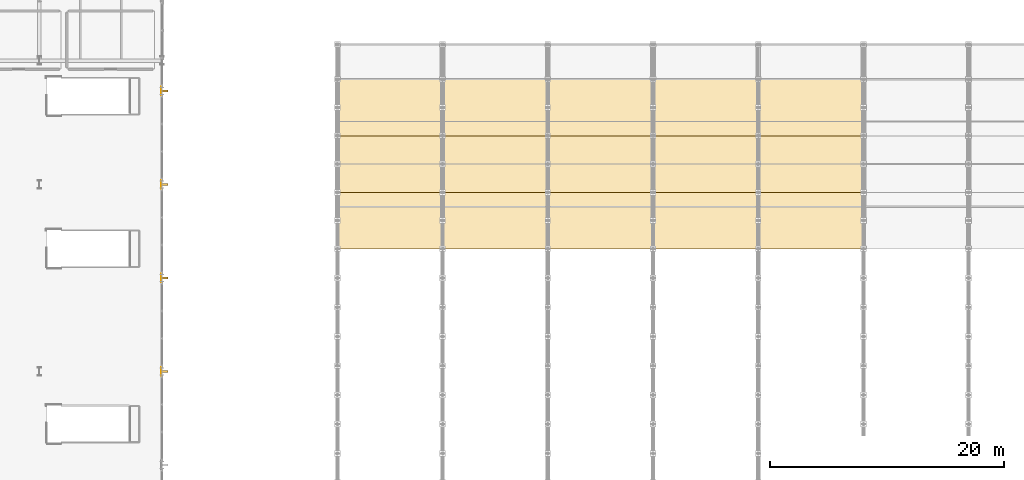
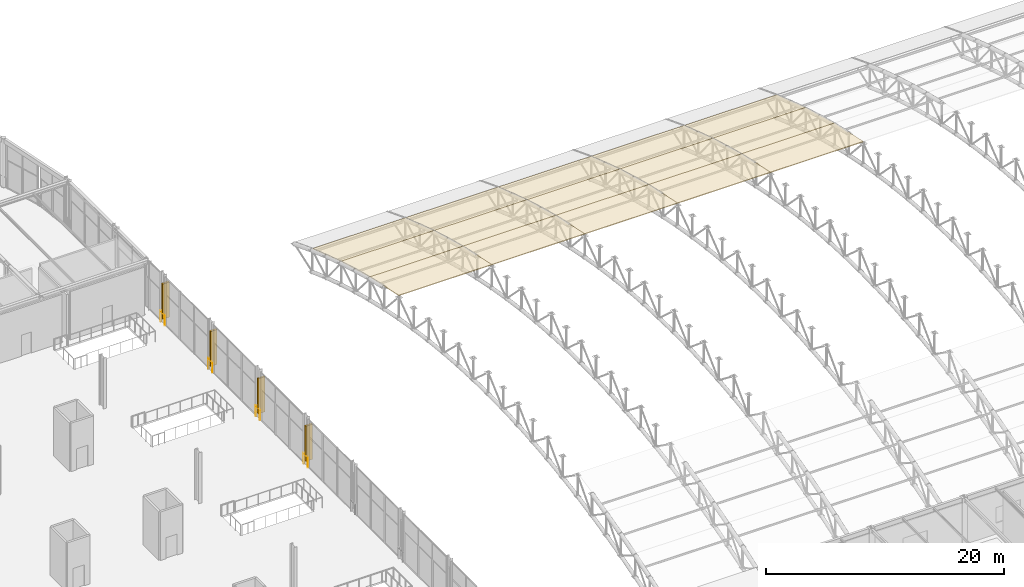
# One storey, part 192 of 195: 15 coverings, 4 railings, 4 shading devices.
"""IFC4 building model written with IfcOpenShell, lengths in metres."""

from ifc_helpers import new_model, si_unit, direction, frame, origin, origin_2d, place, context, subcontext, project, spatial, polyline, rectangle, circle, outline, extrude, material, layer, layer_set, type_object, element, save


model = new_model("IFC4")

# Units and contexts
model_context = context("Model", 3, precision=1e-05, world=origin(), true_north=direction((0.0, 1.0)))
body_context = subcontext(model_context, "Body", "Model", "MODEL_VIEW")
ifc_project = project(units=[si_unit("LENGTHUNIT", "METRE"), si_unit("AREAUNIT", "SQUARE_METRE"), si_unit("VOLUMEUNIT", "CUBIC_METRE"), si_unit("PLANEANGLEUNIT", "RADIAN"), si_unit("MASSUNIT", "GRAM", prefix="KILO")], contexts=[model_context])

# Site, building, storey
site_placement = place(None, origin())
site = spatial("IfcSite", under=ifc_project, at=site_placement, CompositionType="ELEMENT")
building_placement = place(site_placement, origin())
building = spatial("IfcBuilding", under=site, at=building_placement, Name="Marlcrest Central Station", CompositionType="ELEMENT")
storey_placement = place(building_placement, frame((0.0, 0.0, 9.800048828125)))
storey = spatial("IfcBuildingStorey", under=building, at=storey_placement, Name="L02", CompositionType="ELEMENT", Elevation=9.800048828125)

# Coverings
ifc_material_1 = material(Name="Standing-seam marine-coated aluminium roofing", Category="aluminium")
ifc_layer = layer(ifc_material_1, 0.06494140625, Name="CV-RF2")
ifc_layer_set = layer_set([ifc_layer], Name="Standing-seam marine-coated aluminium roofing")
covering_type = type_object("IfcCoveringType", Name="CV-RF2", PredefinedType="ROOFING", material=ifc_layer_set)
covering_1_placement = place(storey_placement, frame((144.0, 81.0, 5.8037109375), z_axis=(0.0, 0.211209052667, 0.977440911806), x_axis=(1.0, 0.0, 0.0)))
element("IfcCovering", 1, at=covering_1_placement, inside=storey, type_object=covering_type, Name="cov-shed-0127", PredefinedType="ROOFING", context=body_context, shape_type="SweptSolid", body=[
    extrude(outline(polyline([(0.0, 0.0), (9.0, 0.0), (9.0, 4.941555102371799), (0.0, 4.941555102371799), (0.0, 0.0)])), origin(), (0.0, 0.0, -1.0), 0.06494140625),
])
covering_2_placement = place(storey_placement, frame((144.0, 85.830078125, 4.760009765625), z_axis=(0.0, 0.266214119485, 0.96391391866), x_axis=(1.0, 0.0, 0.0)))
element("IfcCovering", 2, at=covering_2_placement, inside=storey, type_object=covering_type, Name="cov-shed-0128", PredefinedType="ROOFING", context=body_context, shape_type="SweptSolid", body=[
    extrude(outline(polyline([(0.0, 0.0), (9.0, 0.0), (9.0, 5.021033161059522), (0.0, 5.021033161059522), (0.0, 0.0)])), origin(), (0.0, 0.0, -1.0), 0.06494140625),
])
covering_3_placement = place(storey_placement, frame((144.0, 90.669921875, 3.42333984375), z_axis=(0.0, 0.318569719273, 0.94789943241), x_axis=(1.0, 0.0, 0.0)))
element("IfcCovering", 3, at=covering_3_placement, inside=storey, type_object=covering_type, Name="cov-shed-0129", PredefinedType="ROOFING", context=body_context, shape_type="SweptSolid", body=[
    extrude(outline(polyline([(0.0, 0.0), (9.0, 0.0), (9.0, 5.095559676327259), (0.0, 5.095559676327259), (0.0, 0.0)])), origin(), (0.0, 0.0, -1.0), 0.06494140625),
])
covering_4_placement = place(storey_placement, frame((153.0, 81.0, 5.8037109375), z_axis=(0.0, 0.211209052667, 0.977440911806), x_axis=(1.0, 0.0, 0.0)))
element("IfcCovering", 4, at=covering_4_placement, inside=storey, type_object=covering_type, Name="cov-shed-0141", PredefinedType="ROOFING", context=body_context, shape_type="SweptSolid", body=[
    extrude(outline(polyline([(0.0, 0.0), (9.0, 0.0), (9.0, 4.941555102371799), (0.0, 4.941555102371799), (0.0, 0.0)])), origin(), (0.0, 0.0, -1.0), 0.06494140625),
])
covering_5_placement = place(storey_placement, frame((153.0, 85.830078125, 4.760009765625), z_axis=(0.0, 0.266214119485, 0.96391391866), x_axis=(1.0, 0.0, 0.0)))
element("IfcCovering", 5, at=covering_5_placement, inside=storey, type_object=covering_type, Name="cov-shed-0142", PredefinedType="ROOFING", context=body_context, shape_type="SweptSolid", body=[
    extrude(outline(polyline([(0.0, 0.0), (9.0, 0.0), (9.0, 5.021033161059522), (0.0, 5.021033161059522), (0.0, 0.0)])), origin(), (0.0, 0.0, -1.0), 0.06494140625),
])
covering_6_placement = place(storey_placement, frame((153.0, 90.669921875, 3.42333984375), z_axis=(0.0, 0.318569719273, 0.94789943241), x_axis=(1.0, 0.0, 0.0)))
element("IfcCovering", 6, at=covering_6_placement, inside=storey, type_object=covering_type, Name="cov-shed-0143", PredefinedType="ROOFING", context=body_context, shape_type="SweptSolid", body=[
    extrude(outline(polyline([(0.0, 0.0), (9.0, 0.0), (9.0, 5.095559676327259), (0.0, 5.095559676327259), (0.0, 0.0)])), origin(), (0.0, 0.0, -1.0), 0.06494140625),
])
covering_7_placement = place(storey_placement, frame((162.0, 81.0, 5.8037109375), z_axis=(0.0, 0.211209052667, 0.977440911806), x_axis=(1.0, 0.0, 0.0)))
element("IfcCovering", 7, at=covering_7_placement, inside=storey, type_object=covering_type, Name="cov-shed-0155", PredefinedType="ROOFING", context=body_context, shape_type="SweptSolid", body=[
    extrude(outline(polyline([(0.0, 0.0), (9.0, 0.0), (9.0, 4.941555102371799), (0.0, 4.941555102371799), (0.0, 0.0)])), origin(), (0.0, 0.0, -1.0), 0.06494140625),
])
covering_8_placement = place(storey_placement, frame((162.0, 85.830078125, 4.760009765625), z_axis=(0.0, 0.266214119485, 0.96391391866), x_axis=(1.0, 0.0, 0.0)))
element("IfcCovering", 8, at=covering_8_placement, inside=storey, type_object=covering_type, Name="cov-shed-0156", PredefinedType="ROOFING", context=body_context, shape_type="SweptSolid", body=[
    extrude(outline(polyline([(0.0, 0.0), (9.0, 0.0), (9.0, 5.021033161059522), (0.0, 5.021033161059522), (0.0, 0.0)])), origin(), (0.0, 0.0, -1.0), 0.06494140625),
])
covering_9_placement = place(storey_placement, frame((162.0, 90.669921875, 3.42333984375), z_axis=(0.0, 0.318569719273, 0.94789943241), x_axis=(1.0, 0.0, 0.0)))
element("IfcCovering", 9, at=covering_9_placement, inside=storey, type_object=covering_type, Name="cov-shed-0157", PredefinedType="ROOFING", context=body_context, shape_type="SweptSolid", body=[
    extrude(outline(polyline([(0.0, 0.0), (9.0, 0.0), (9.0, 5.095559676327259), (0.0, 5.095559676327259), (0.0, 0.0)])), origin(), (0.0, 0.0, -1.0), 0.06494140625),
])
covering_10_placement = place(storey_placement, frame((171.0, 81.0, 5.8037109375), z_axis=(0.0, 0.211209052667, 0.977440911806), x_axis=(1.0, 0.0, 0.0)))
element("IfcCovering", 10, at=covering_10_placement, inside=storey, type_object=covering_type, Name="cov-shed-0169", PredefinedType="ROOFING", context=body_context, shape_type="SweptSolid", body=[
    extrude(outline(polyline([(0.0, 0.0), (9.0, 0.0), (9.0, 4.941555102371799), (0.0, 4.941555102371799), (0.0, 0.0)])), origin(), (0.0, 0.0, -1.0), 0.06494140625),
])
covering_11_placement = place(storey_placement, frame((171.0, 85.830078125, 4.760009765625), z_axis=(0.0, 0.266214119485, 0.96391391866), x_axis=(1.0, 0.0, 0.0)))
element("IfcCovering", 11, at=covering_11_placement, inside=storey, type_object=covering_type, Name="cov-shed-0170", PredefinedType="ROOFING", context=body_context, shape_type="SweptSolid", body=[
    extrude(outline(polyline([(0.0, 0.0), (9.0, 0.0), (9.0, 5.021033161059522), (0.0, 5.021033161059522), (0.0, 0.0)])), origin(), (0.0, 0.0, -1.0), 0.06494140625),
])
covering_12_placement = place(storey_placement, frame((171.0, 90.669921875, 3.42333984375), z_axis=(0.0, 0.318569719273, 0.94789943241), x_axis=(1.0, 0.0, 0.0)))
element("IfcCovering", 12, at=covering_12_placement, inside=storey, type_object=covering_type, Name="cov-shed-0171", PredefinedType="ROOFING", context=body_context, shape_type="SweptSolid", body=[
    extrude(outline(polyline([(0.0, 0.0), (9.0, 0.0), (9.0, 5.095559676327259), (0.0, 5.095559676327259), (0.0, 0.0)])), origin(), (0.0, 0.0, -1.0), 0.06494140625),
])
covering_13_placement = place(storey_placement, frame((180.0, 81.0, 5.8037109375), z_axis=(0.0, 0.211209052667, 0.977440911806), x_axis=(1.0, 0.0, 0.0)))
element("IfcCovering", 13, at=covering_13_placement, inside=storey, type_object=covering_type, Name="cov-shed-0183", PredefinedType="ROOFING", context=body_context, shape_type="SweptSolid", body=[
    extrude(outline(polyline([(0.0, 0.0), (9.0, 0.0), (9.0, 4.941555102371799), (0.0, 4.941555102371799), (0.0, 0.0)])), origin(), (0.0, 0.0, -1.0), 0.06494140625),
])
covering_14_placement = place(storey_placement, frame((180.0, 85.830078125, 4.760009765625), z_axis=(0.0, 0.266214119485, 0.96391391866), x_axis=(1.0, 0.0, 0.0)))
element("IfcCovering", 14, at=covering_14_placement, inside=storey, type_object=covering_type, Name="cov-shed-0184", PredefinedType="ROOFING", context=body_context, shape_type="SweptSolid", body=[
    extrude(outline(polyline([(0.0, 0.0), (9.0, 0.0), (9.0, 5.021033161059522), (0.0, 5.021033161059522), (0.0, 0.0)])), origin(), (0.0, 0.0, -1.0), 0.06494140625),
])
covering_15_placement = place(storey_placement, frame((180.0, 90.669921875, 3.42333984375), z_axis=(0.0, 0.318569719273, 0.94789943241), x_axis=(1.0, 0.0, 0.0)))
element("IfcCovering", 15, at=covering_15_placement, inside=storey, type_object=covering_type, Name="cov-shed-0185", PredefinedType="ROOFING", context=body_context, shape_type="SweptSolid", body=[
    extrude(outline(polyline([(0.0, 0.0), (9.0, 0.0), (9.0, 5.095559676327259), (0.0, 5.095559676327259), (0.0, 0.0)])), origin(), (0.0, 0.0, -1.0), 0.06494140625),
])

# Railings
ifc_material_2 = material(Name="Stainless steel and laminated glass concourse balustrade", Category="steel")
railing_type = type_object("IfcRailingType", Name="GR-02", PredefinedType="BALUSTRADE", material=ifc_material_2)
for number, where, name in (
    (16, (128.93994140625, 94.840087890625, 0.0), "hr-L02-00502"),
    (17, (128.93994140625, 86.840087890625, 0.0), "hr-L02-00503"),
    (18, (128.93994140625, 78.840087890625, 0.0), "hr-L02-00504"),
    (19, (128.93994140625, 70.840087890625, 0.0), "hr-L02-00505"),
):
    element("IfcRailing", number, at=place(storey_placement, frame(where)), inside=storey, type_object=railing_type, Name=name, PredefinedType="BALUSTRADE", context=body_context, shape_type="SweptSolid", body=[
        extrude(circle(Radius=0.02392578125, at=origin_2d()), frame((0.0, 0.0, 1.09619140625), z_axis=(0.0, -1.0, 0.0), x_axis=(1.0, 0.0, 0.0)), (0.0, 0.0, 1.0), 0.68017578125),
        extrude(circle(Radius=0.02099609375, at=origin_2d()), origin(), (0.0, 0.0, 1.0), 1.072021484375),
        extrude(circle(Radius=0.02099609375, at=origin_2d()), frame((0.0, -0.68017578125, 0.0)), (0.0, 0.0, 1.0), 1.072021484375),
    ])

# Shading devices
ifc_material_3 = material(Name="Precast concrete C40/50", Category="concrete")
shading_device_type = type_object("IfcShadingDeviceType", Name="SD-BS1", PredefinedType="USERDEFINED", material=ifc_material_3)
for number, where, z_axis, x_axis, name in (
    (20, (129.199951171875, 70.5, 0.5), (0.0, 0.0, 1.0), (0.0, 1.0, 0.0), "shd-L02-0014"),
    (21, (129.199951171875, 78.5, 0.5), (0.0, 0.0, 1.0), (0.0, 1.0, 0.0), "shd-L02-0016"),
    (22, (129.199951171875, 86.5, 0.5), (0.0, 0.0, 1.0), (0.0, 1.0, 0.0), "shd-L02-0018"),
    (23, (129.199951171875, 94.5, 0.5), (0.0, 0.0, 1.0), (0.0, 1.0, 0.0), "shd-L02-0020"),
):
    element("IfcShadingDevice", number, at=place(storey_placement, frame(where, z_axis=z_axis, x_axis=x_axis)), inside=storey, type_object=shading_device_type, Name=name, ObjectType="BRISE_SOLEIL", PredefinedType="USERDEFINED", context=body_context, shape_type="SweptSolid", body=[
        extrude(rectangle(XDim=0.179931640625, YDim=0.64990234375, at=origin_2d()), origin(), (0.0, 0.0, 1.0), 3.60009765625),
    ])

save(model, "model.ifc")
